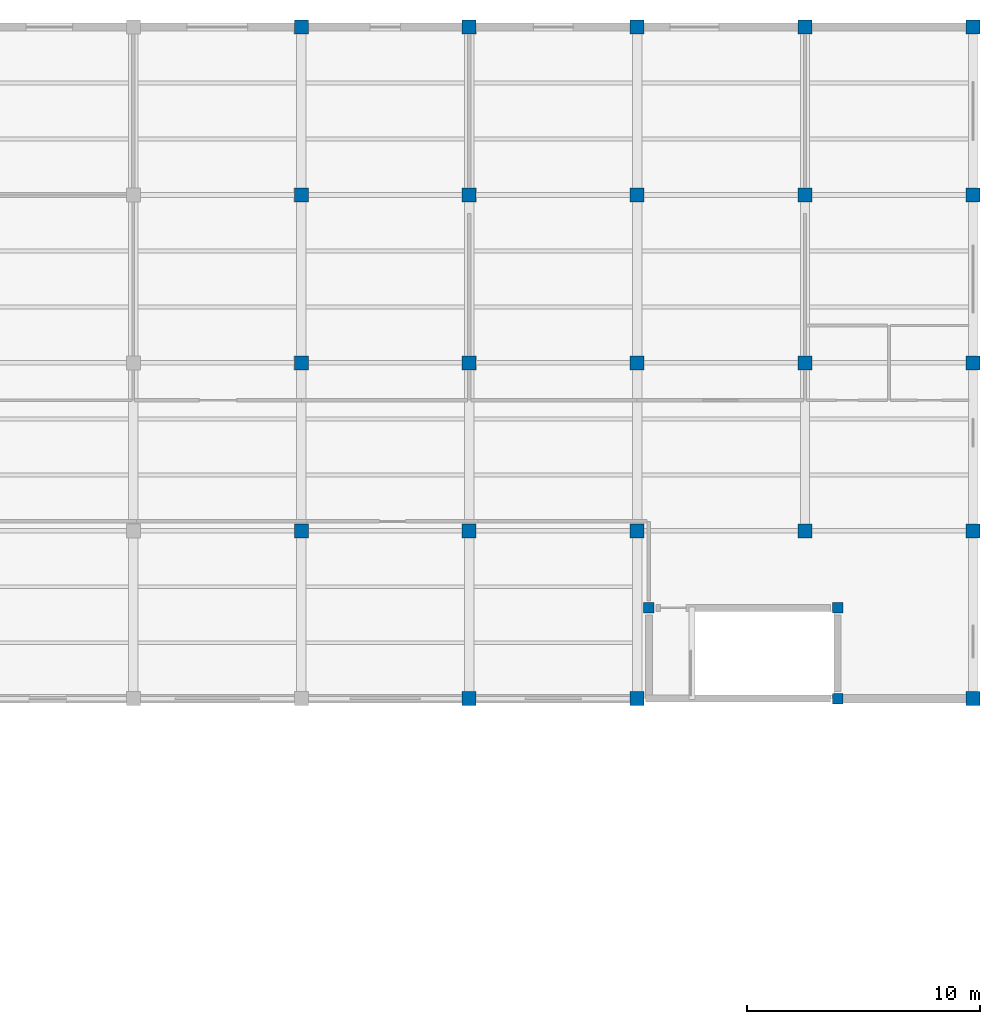
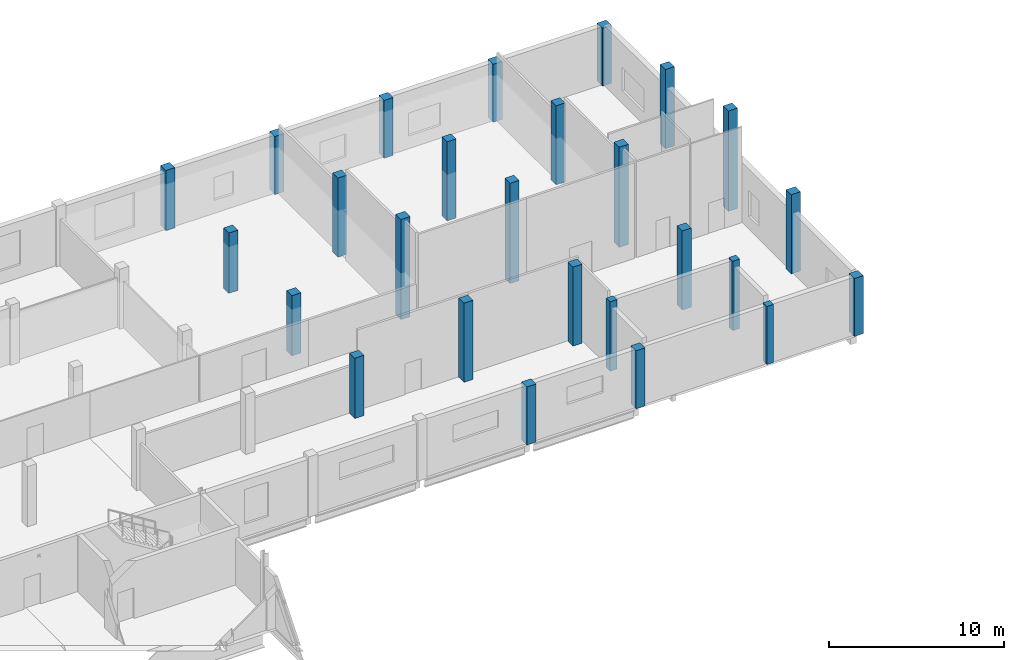
# One storey, part 4 of 48: 26 columns.
"""IFC4 building model written with IfcOpenShell, lengths in metres."""

from ifc_helpers import new_model, si_unit, direction, frame, origin, origin_2d, place, context, subcontext, project, spatial, rectangle, extrude, material, material_profile, profile_set, type_object, element, save


model = new_model("IFC4")

# Units and contexts
model_context = context("Model", 3, precision=1e-05, world=origin(), true_north=direction((0.0, 1.0)))
body_context = subcontext(model_context, "Body", "Model", "MODEL_VIEW")
ifc_project = project(units=[si_unit("LENGTHUNIT", "METRE"), si_unit("AREAUNIT", "SQUARE_METRE"), si_unit("VOLUMEUNIT", "CUBIC_METRE"), si_unit("PLANEANGLEUNIT", "RADIAN"), si_unit("MASSUNIT", "GRAM", prefix="KILO"), si_unit("THERMODYNAMICTEMPERATUREUNIT", "KELVIN"), si_unit("POWERUNIT", "WATT")], contexts=[model_context])

# Site, building, storey
site_placement = place(None, origin())
site = spatial("IfcSite", under=ifc_project, at=site_placement, CompositionType="ELEMENT")
building_placement = place(site_placement, origin())
building = spatial("IfcBuilding", under=site, at=building_placement, Name="Kaldorven Railside Theatre", CompositionType="ELEMENT")
storey_placement = place(building_placement, frame((0.0, 0.0, 18.89990234375)))
storey = spatial("IfcBuildingStorey", under=building, at=storey_placement, Name="L04", CompositionType="ELEMENT", Elevation=18.89990234375)

# Columns
ifc_material = material(Name="Concrete C40/50", Category="concrete")
ifc_material_profile_1 = material_profile(ifc_material, rectangle(XDim=0.449951171875, YDim=0.449951171875, at=origin_2d()), Name="RC 450x450")
ifc_profile_set_1 = profile_set([ifc_material_profile_1], Name="Concrete C40/50")
column_type_1 = type_object("IfcColumnType", Name="COL-RC450", PredefinedType="COLUMN", material=ifc_profile_set_1)
column_1_placement = place(storey_placement, frame((160.60009765625, 112.800048828125, 0.0), z_axis=(0.0, 0.0, 1.0), x_axis=(1.0, 0.0, 0.0)))
element("IfcColumn", 1, at=column_1_placement, inside=storey, type_object=column_type_1, Name="Core ST-08 L04 Boundary Column CCR-044", PredefinedType="COLUMN", context=body_context, shape_type="SweptSolid", body=[
    extrude(rectangle(XDim=0.449951171875, YDim=0.449951171875, at=origin_2d()), origin(), (0.0, 0.0, 1.0), 4.04638671875),
])
for number, where, z_axis, x_axis, name in (
    (2, (160.60009765625, 116.699951171875, 0.0), (0.0, 0.0, 1.0), (1.0, 0.0, 0.0), "Core ST-08 L04 Boundary Column CCR-049"),
    (3, (152.5, 116.699951171875, 0.0), (0.0, 0.0, 1.0), (1.0, 0.0, 0.0), "Core ST-08 L04 Boundary Column CCR-054"),
):
    element("IfcColumn", number, at=place(storey_placement, frame(where, z_axis=z_axis, x_axis=x_axis)), inside=storey, type_object=column_type_1, Name=name, PredefinedType="COLUMN", context=body_context, shape_type="SweptSolid", body=[
        extrude(rectangle(XDim=0.449951171875, YDim=0.449951171875, at=origin_2d()), origin(), (0.0, 0.0, 1.0), 4.845458984375),
    ])
ifc_material_profile_2 = material_profile(ifc_material, rectangle(XDim=0.60009765625, YDim=0.60009765625, at=origin_2d()), Name="RC 600x600")
ifc_profile_set_2 = profile_set([ifc_material_profile_2], Name="Concrete C40/50")
column_type_2 = type_object("IfcColumnType", Name="COL-RC600", PredefinedType="COLUMN", material=ifc_profile_set_2)
for number, where, z_axis, x_axis, name in (
    (4, (144.800048828125, 112.800048828125, 0.0), (0.0, 0.0, 1.0), (0.0, 1.0, 0.0), "L04 Column CG-L04-144-112"),
    (5, (152.0, 112.800048828125, 0.0), (0.0, 0.0, 1.0), (1.0, 0.0, 0.0), "L04 Column CG-L04-152-112"),
    (6, (166.39990234375, 112.800048828125, 0.0), (0.0, 0.0, 1.0), (0.0, 1.0, 0.0), "L04 Column CG-L04-166-112"),
):
    element("IfcColumn", number, at=place(storey_placement, frame(where, z_axis=z_axis, x_axis=x_axis)), inside=storey, type_object=column_type_2, Name=name, PredefinedType="COLUMN", context=body_context, shape_type="SweptSolid", body=[
        extrude(rectangle(XDim=0.60009765625, YDim=0.60009765625, at=origin_2d()), origin(), (0.0, 0.0, 1.0), 4.04638671875),
    ])
column_2_placement = place(storey_placement, frame((137.60009765625, 120.0, 0.0), z_axis=(0.0, 0.0, 1.0), x_axis=(0.0, 1.0, 0.0)))
element("IfcColumn", 7, at=column_2_placement, inside=storey, type_object=column_type_2, Name="L04 Column CG-L04-137-120", PredefinedType="COLUMN", context=body_context, shape_type="SweptSolid", body=[
    extrude(rectangle(XDim=0.60009765625, YDim=0.60009765625, at=origin_2d()), origin(), (0.0, 0.0, 1.0), 4.2001953125),
])
for number, where, z_axis, x_axis, name in (
    (8, (144.800048828125, 120.0, 0.0), (0.0, 0.0, 1.0), (1.0, 0.0, 0.0), "L04 Column CG-L04-144-120"),
    (9, (152.0, 120.0, 0.0), (0.0, 0.0, 1.0), (1.0, 0.0, 0.0), "L04 Column CG-L04-152-120"),
    (10, (159.199951171875, 120.0, 0.0), (0.0, 0.0, 1.0), (0.0, 1.0, 0.0), "L04 Column CG-L04-159-120"),
    (11, (166.39990234375, 120.0, 0.0), (0.0, 0.0, 1.0), (1.0, 0.0, 0.0), "L04 Column CG-L04-166-120"),
):
    element("IfcColumn", number, at=place(storey_placement, frame(where, z_axis=z_axis, x_axis=x_axis)), inside=storey, type_object=column_type_2, Name=name, PredefinedType="COLUMN", context=body_context, shape_type="SweptSolid", body=[
        extrude(rectangle(XDim=0.60009765625, YDim=0.60009765625, at=origin_2d()), origin(), (0.0, 0.0, 1.0), 5.521484375),
    ])
column_3_placement = place(storey_placement, frame((137.60009765625, 127.199951171875, 0.0), z_axis=(0.0, 0.0, 1.0), x_axis=(1.0, 0.0, 0.0)))
element("IfcColumn", 12, at=column_3_placement, inside=storey, type_object=column_type_2, Name="L04 Column CG-L04-137-127", PredefinedType="COLUMN", context=body_context, shape_type="SweptSolid", body=[
    extrude(rectangle(XDim=0.60009765625, YDim=0.60009765625, at=origin_2d()), origin(), (0.0, 0.0, 1.0), 4.2001953125),
])
for number, where, z_axis, x_axis, name in (
    (13, (144.800048828125, 127.199951171875, 0.0), (0.0, 0.0, 1.0), (1.0, 0.0, 0.0), "L04 Column CG-L04-144-127"),
    (14, (152.0, 127.199951171875, 0.0), (0.0, 0.0, 1.0), (0.0, 1.0, 0.0), "L04 Column CG-L04-152-127"),
    (15, (159.199951171875, 127.199951171875, 0.0), (0.0, 0.0, 1.0), (1.0, 0.0, 0.0), "L04 Column CG-L04-159-127"),
    (16, (166.39990234375, 127.199951171875, 0.0), (0.0, 0.0, 1.0), (0.0, 1.0, 0.0), "L04 Column CG-L04-166-127"),
):
    element("IfcColumn", number, at=place(storey_placement, frame(where, z_axis=z_axis, x_axis=x_axis)), inside=storey, type_object=column_type_2, Name=name, PredefinedType="COLUMN", context=body_context, shape_type="SweptSolid", body=[
        extrude(rectangle(XDim=0.60009765625, YDim=0.60009765625, at=origin_2d()), origin(), (0.0, 0.0, 1.0), 6.99658203125),
    ])
column_4_placement = place(storey_placement, frame((137.60009765625, 134.39990234375, 0.0), z_axis=(0.0, 0.0, 1.0), x_axis=(1.0, 0.0, 0.0)))
element("IfcColumn", 17, at=column_4_placement, inside=storey, type_object=column_type_2, Name="L04 Column CG-L04-137-134", PredefinedType="COLUMN", context=body_context, shape_type="SweptSolid", body=[
    extrude(rectangle(XDim=0.60009765625, YDim=0.60009765625, at=origin_2d()), origin(), (0.0, 0.0, 1.0), 4.2001953125),
])
for number, where, z_axis, x_axis, name in (
    (18, (144.800048828125, 134.39990234375, 0.0), (0.0, 0.0, 1.0), (0.0, 1.0, 0.0), "L04 Column CG-L04-144-134"),
    (19, (152.0, 134.39990234375, 0.0), (0.0, 0.0, 1.0), (1.0, 0.0, 0.0), "L04 Column CG-L04-152-134"),
    (20, (159.199951171875, 134.39990234375, 0.0), (0.0, 0.0, 1.0), (0.0, 1.0, 0.0), "L04 Column CG-L04-159-134"),
    (21, (166.39990234375, 134.39990234375, 0.0), (0.0, 0.0, 1.0), (1.0, 0.0, 0.0), "L04 Column CG-L04-166-134"),
):
    element("IfcColumn", number, at=place(storey_placement, frame(where, z_axis=z_axis, x_axis=x_axis)), inside=storey, type_object=column_type_2, Name=name, PredefinedType="COLUMN", context=body_context, shape_type="SweptSolid", body=[
        extrude(rectangle(XDim=0.60009765625, YDim=0.60009765625, at=origin_2d()), origin(), (0.0, 0.0, 1.0), 5.521484375),
    ])
column_5_placement = place(storey_placement, frame((137.60009765625, 141.60009765625, 0.0), z_axis=(0.0, 0.0, 1.0), x_axis=(0.0, 1.0, 0.0)))
element("IfcColumn", 22, at=column_5_placement, inside=storey, type_object=column_type_2, Name="L04 Column CG-L04-137-141", PredefinedType="COLUMN", context=body_context, shape_type="SweptSolid", body=[
    extrude(rectangle(XDim=0.60009765625, YDim=0.60009765625, at=origin_2d()), origin(), (0.0, 0.0, 1.0), 4.2001953125),
])
for number, where, z_axis, x_axis, name in (
    (23, (144.800048828125, 141.60009765625, 0.0), (0.0, 0.0, 1.0), (1.0, 0.0, 0.0), "L04 Column CG-L04-144-141"),
    (24, (152.0, 141.60009765625, 0.0), (0.0, 0.0, 1.0), (0.0, 1.0, 0.0), "L04 Column CG-L04-152-141"),
    (25, (159.199951171875, 141.60009765625, 0.0), (0.0, 0.0, 1.0), (1.0, 0.0, 0.0), "L04 Column CG-L04-159-141"),
    (26, (166.39990234375, 141.60009765625, 0.0), (0.0, 0.0, 1.0), (1.0, 0.0, 0.0), "L04 Column CG-L04-166-141"),
):
    element("IfcColumn", number, at=place(storey_placement, frame(where, z_axis=z_axis, x_axis=x_axis)), inside=storey, type_object=column_type_2, Name=name, PredefinedType="COLUMN", context=body_context, shape_type="SweptSolid", body=[
        extrude(rectangle(XDim=0.60009765625, YDim=0.60009765625, at=origin_2d()), origin(), (0.0, 0.0, 1.0), 4.04638671875),
    ])

save(model, "model.ifc")
